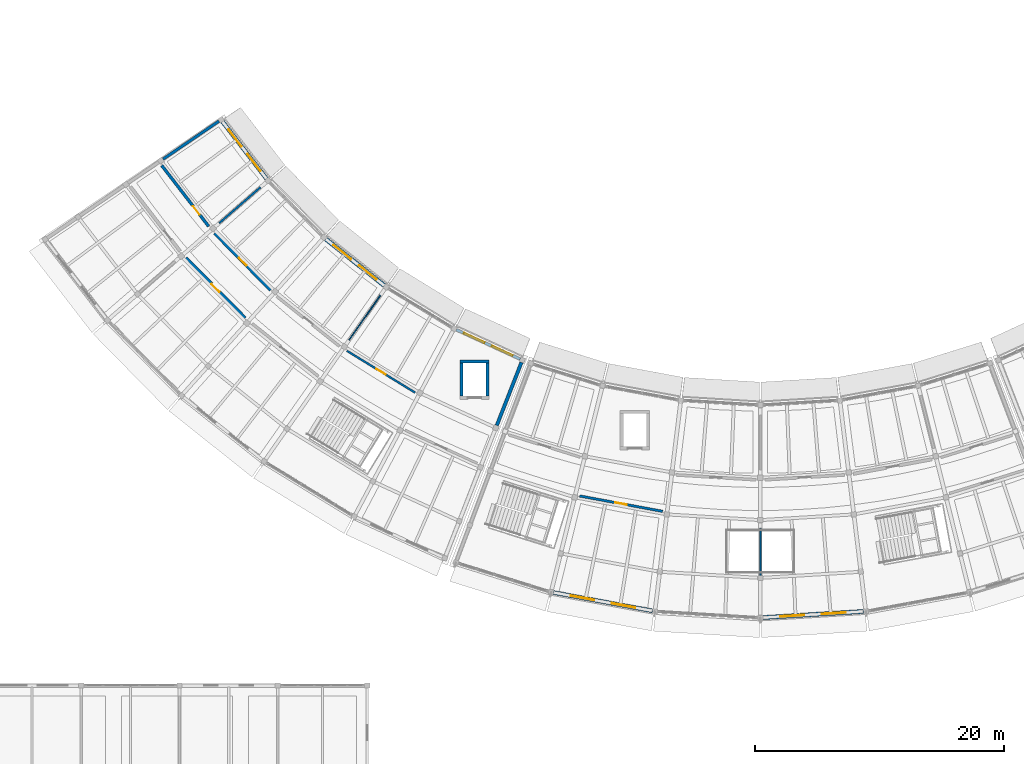
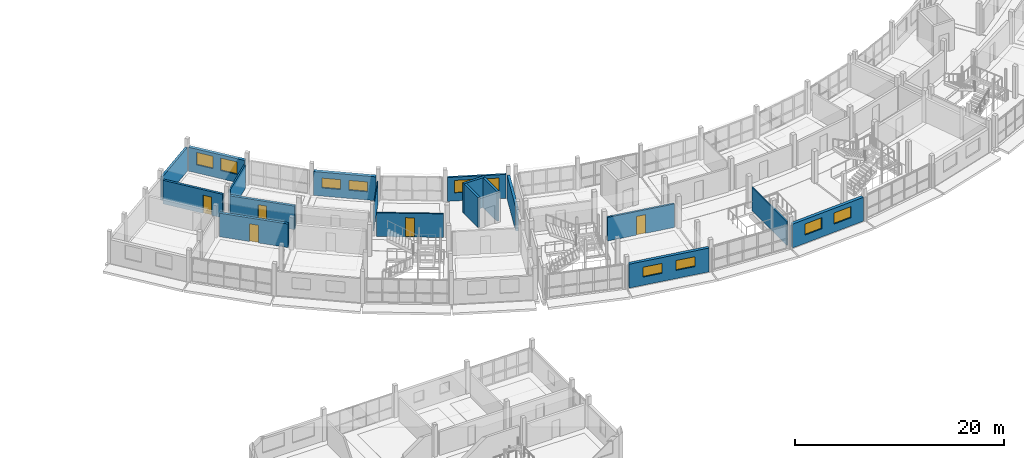
# One storey, part 57 of 77: 18 walls, 10 windows, 5 doors, 15 openings.
"""IFC4 building model written with IfcOpenShell, lengths in metres."""

from ifc_helpers import new_model, si_unit, direction, frame, frame_2d, origin, place, context, subcontext, project, spatial, rectangle, extrude, material, layer, layer_set, type_object, element, fill, save


model = new_model("IFC4")

# Units and contexts
model_context = context("Model", 3, precision=1e-05, world=origin(), true_north=direction((0.0, 1.0)))
body_context = subcontext(model_context, "Body", "Model", "MODEL_VIEW")
ifc_project = project(units=[si_unit("LENGTHUNIT", "METRE"), si_unit("AREAUNIT", "SQUARE_METRE"), si_unit("VOLUMEUNIT", "CUBIC_METRE"), si_unit("PLANEANGLEUNIT", "RADIAN"), si_unit("MASSUNIT", "GRAM", prefix="KILO")], contexts=[model_context])

# Site, building, storey
site_placement = place(None, origin())
site = spatial("IfcSite", under=ifc_project, at=site_placement, CompositionType="ELEMENT")
building_placement = place(site_placement, origin())
building = spatial("IfcBuilding", under=site, at=building_placement, Name="Caldaven Crescent School", CompositionType="ELEMENT")
storey_placement = place(building_placement, frame((0.0, 0.0, 4.419921875)))
storey = spatial("IfcBuildingStorey", under=building, at=storey_placement, Name="L01", CompositionType="ELEMENT", Elevation=4.419921875)

# Walls
ifc_material_1 = material(Name="Concrete C35/45", Category="concrete")
ifc_layer_1 = layer(ifc_material_1, 0.300048828125)
ifc_layer_set_1 = layer_set([ifc_layer_1], Name="Concrete C35/45")
wall_type_1 = type_object("IfcWallType", Name="WAL-CW1", PredefinedType="SHEAR", material=ifc_layer_set_1)
wall_1_placement = place(storey_placement, frame((63.85107421875, 47.0380859375, 0.0), z_axis=(0.0, 0.0, 1.0), x_axis=(1.0, 0.0, 0.0)))
element("IfcWall", 1, at=wall_1_placement, inside=storey, type_object=wall_type_1, Name="CW-LF4-L01-N", PredefinedType="SHEAR", context=body_context, shape_type="SweptSolid", body=[
    extrude(rectangle(XDim=2.349853515625, YDim=0.25, at=frame_2d((1.1748046875, 0.0))), origin(), (0.0, 0.0, 1.0), 3.489990234375),
])
ifc_layer_2 = layer(ifc_material_1, 0.25)
ifc_layer_set_2 = layer_set([ifc_layer_2], Name="Concrete C35/45")
wall_type_2 = type_object("IfcWallType", Name="WAL-CW2", PredefinedType="SHEAR", material=ifc_layer_set_2)
for number, where, z_axis, x_axis, name in (
    (2, (63.97607421875, 44.26318359375, 0.0), (0.0, 0.0, 1.0), (0.0, 1.0, 0.0), "CW-LF4-L01-W"),
    (3, (66.075927734375, 44.26318359375, 0.0), (0.0, 0.0, 1.0), (0.0, 1.0, 0.0), "CW-LF4-L01-E"),
):
    element("IfcWall", number, at=place(storey_placement, frame(where, z_axis=z_axis, x_axis=x_axis)), inside=storey, type_object=wall_type_2, Name=name, PredefinedType="SHEAR", context=body_context, shape_type="SweptSolid", body=[
        extrude(rectangle(XDim=2.64990234375, YDim=0.25, at=frame_2d((1.324951171875, 0.0))), origin(), (0.0, 0.0, 1.0), 3.489990234375),
    ])

# Wall, openings, windows
ifc_material_2 = material(Name="Precast concrete C35/45", Category="concrete")
ifc_layer_3 = layer(ifc_material_2, 0.2041015625)
ifc_layer_set_3 = layer_set([ifc_layer_3], Name="Precast concrete C35/45")
wall_type_3 = type_object("IfcWallType", Name="WAL-EW02", PredefinedType="STANDARD", material=ifc_layer_set_3)
wall_2_placement = place(storey_placement, frame((63.55615234375, 49.606689453125, 0.0), z_axis=(0.0, 0.0, 1.0), x_axis=(0.908529183404, -0.417821400723, 0.0)))
wall_2 = element("IfcWall", 4, at=wall_2_placement, inside=storey, type_object=wall_type_3, Name="EW-L01-127", PredefinedType="STANDARD", context=body_context, shape_type="SweptSolid", body=[
    extrude(rectangle(XDim=5.6474609375, YDim=0.2041015625, at=frame_2d((2.82373046875, 0.0))), origin(), (0.0, 0.0, 1.0), 2.780029296875),
])
opening_1_placement = place(wall_2_placement, frame((0.669189453125, 0.0, 0.949951171875)))
opening_1 = element("IfcOpeningElement", 5, at=opening_1_placement, cuts=wall_2, Name="Opening W27", PredefinedType="OPENING", context=body_context, shape_type="SweptSolid", body=[
    extrude(rectangle(XDim=1.820068359375, YDim=1.449951171875, at=frame_2d((0.91015625, 0.72509765625))), frame((0.0, 0.112060546875, 0.0), z_axis=(0.0, -1.0, 0.0), x_axis=(1.0, 0.0, 0.0)), (0.0, 0.0, 1.0), 0.22412109375),
])
opening_2_placement = place(wall_2_placement, frame((3.158203125, 0.0, 0.949951171875)))
opening_2 = element("IfcOpeningElement", 6, at=opening_2_placement, cuts=wall_2, Name="Opening W27", PredefinedType="OPENING", context=body_context, shape_type="SweptSolid", body=[
    extrude(rectangle(XDim=1.820068359375, YDim=1.449951171875, at=frame_2d((0.91015625, 0.72509765625))), frame((0.0, 0.112060546875, 0.0), z_axis=(0.0, -1.0, 0.0), x_axis=(1.0, 0.0, 0.0)), (0.0, 0.0, 1.0), 0.22412109375),
])
ifc_material_3 = material(Name="Thermally broken anodised aluminium AA 6063-T6 and low-E double glazing", Category="aluminium")
window_type_1 = type_object("IfcWindowType", Name="WIN-W27", PartitioningType="SINGLE_PANEL", PredefinedType="WINDOW", material=ifc_material_3)
window_1_placement = place(opening_1_placement, origin())
window_1 = element("IfcWindow", 7, at=window_1_placement, inside=storey, type_object=window_type_1, Name="WIN-L01-074-1", OverallHeight=1.449951171875, OverallWidth=1.820068359375, PartitioningType="SINGLE_PANEL", PredefinedType="WINDOW", context=body_context, shape_type="SweptSolid", body=[
    extrude(rectangle(XDim=1.820068359375, YDim=1.449951171875, at=frame_2d((0.91015625, 0.72509765625))), frame((0.0, 0.030029296875, 0.0), z_axis=(0.0, -1.0, 0.0), x_axis=(1.0, 0.0, 0.0)), (0.0, 0.0, 1.0), 0.06005859375),
])
fill(opening_1, window_1)
window_2_placement = place(opening_2_placement, origin())
window_2 = element("IfcWindow", 8, at=window_2_placement, inside=storey, type_object=window_type_1, Name="WIN-L01-074-2", OverallHeight=1.449951171875, OverallWidth=1.820068359375, PartitioningType="SINGLE_PANEL", PredefinedType="WINDOW", context=body_context, shape_type="SweptSolid", body=[
    extrude(rectangle(XDim=1.820068359375, YDim=1.449951171875, at=frame_2d((0.91015625, 0.72509765625))), frame((0.0, 0.030029296875, 0.0), z_axis=(0.0, -1.0, 0.0), x_axis=(1.0, 0.0, 0.0)), (0.0, 0.0, 1.0), 0.06005859375),
])
fill(opening_2, window_2)

# Walls
ifc_layer_4 = layer(ifc_material_2, 0.22802734375)
ifc_layer_set_4 = layer_set([ifc_layer_4], Name="Precast concrete C35/45")
wall_type_4 = type_object("IfcWallType", Name="WAL-EW04", PredefinedType="STANDARD", material=ifc_layer_set_4)
wall_3_placement = place(storey_placement, frame((44.473876953125, 66.380859375, 0.0), z_axis=(0.0, 0.0, 1.0), x_axis=(-0.826743616666, -0.562578876516, 0.0)))
element("IfcWall", 9, at=wall_3_placement, inside=storey, type_object=wall_type_4, Name="EW-L01-129", PredefinedType="STANDARD", context=body_context, shape_type="SweptSolid", body=[
    extrude(rectangle(XDim=5.43896484375, YDim=0.22802734375, at=frame_2d((2.719482421875, 0.0))), origin(), (0.0, 0.0, 1.0), 2.780029296875),
])
ifc_layer_5 = layer(ifc_material_2, 0.27587890625)
ifc_layer_set_5 = layer_set([ifc_layer_5], Name="Precast concrete C35/45")
wall_type_5 = type_object("IfcWallType", Name="WAL-EW08", PredefinedType="STANDARD", material=ifc_layer_set_5)
wall_4_placement = place(storey_placement, frame((68.794677734375, 46.97998046875, 0.0), z_axis=(0.0, 0.0, 1.0), x_axis=(-0.364795350011, -0.931087725518, 0.0)))
element("IfcWall", 10, at=wall_4_placement, inside=storey, type_object=wall_type_5, Name="EW-L01-133", PredefinedType="STANDARD", context=body_context, shape_type="SweptSolid", body=[
    extrude(rectangle(XDim=5.43896484375, YDim=0.27587890625, at=frame_2d((2.719482421875, 0.0))), origin(), (0.0, 0.0, 1.0), 2.780029296875),
])

# Wall, openings, windows
ifc_layer_6 = layer(ifc_material_2, 0.323974609375)
ifc_layer_set_6 = layer_set([ifc_layer_6], Name="Precast concrete C35/45")
wall_type_6 = type_object("IfcWallType", Name="WAL-EW12", PredefinedType="STANDARD", material=ifc_layer_set_6)
wall_5_placement = place(storey_placement, frame((44.75830078125, 66.33544921875, 0.0), z_axis=(0.0, 0.0, 1.0), x_axis=(0.610413133261, -0.792083206957, 0.0)))
wall_5 = element("IfcWall", 11, at=wall_5_placement, inside=storey, type_object=wall_type_6, Name="EW-L01-123", PredefinedType="STANDARD", context=body_context, shape_type="SweptSolid", body=[
    extrude(rectangle(XDim=5.79345703125, YDim=0.323974609375, at=frame_2d((2.896728515625, 0.0))), origin(), (0.0, 0.0, 1.0), 2.780029296875),
])
opening_3_placement = place(wall_5_placement, frame((0.7978515625, 0.0, 0.949951171875)))
opening_3 = element("IfcOpeningElement", 12, at=opening_3_placement, cuts=wall_5, Name="Opening W23", PredefinedType="OPENING", context=body_context, shape_type="SweptSolid", body=[
    extrude(rectangle(XDim=1.699951171875, YDim=1.449951171875, at=frame_2d((0.85009765625, 0.72509765625))), frame((0.0, 0.171875, 0.0), z_axis=(0.0, -1.0, 0.0), x_axis=(1.0, 0.0, 0.0)), (0.0, 0.0, 1.0), 0.343994140625),
])
opening_4_placement = place(wall_5_placement, frame((3.295654296875, 0.0, 0.949951171875)))
opening_4 = element("IfcOpeningElement", 13, at=opening_4_placement, cuts=wall_5, Name="Opening W23", PredefinedType="OPENING", context=body_context, shape_type="SweptSolid", body=[
    extrude(rectangle(XDim=1.699951171875, YDim=1.449951171875, at=frame_2d((0.85009765625, 0.72509765625))), frame((0.0, 0.171875, 0.0), z_axis=(0.0, -1.0, 0.0), x_axis=(1.0, 0.0, 0.0)), (0.0, 0.0, 1.0), 0.343994140625),
])
window_type_2 = type_object("IfcWindowType", Name="WIN-W23", PartitioningType="SINGLE_PANEL", PredefinedType="WINDOW", material=ifc_material_3)
window_3_placement = place(opening_3_placement, origin())
window_3 = element("IfcWindow", 14, at=window_3_placement, inside=storey, type_object=window_type_2, Name="WIN-L01-070-1", OverallHeight=1.449951171875, OverallWidth=1.699951171875, PartitioningType="SINGLE_PANEL", PredefinedType="WINDOW", context=body_context, shape_type="SweptSolid", body=[
    extrude(rectangle(XDim=1.699951171875, YDim=1.449951171875, at=frame_2d((0.85009765625, 0.72509765625))), frame((0.0, 0.030029296875, 0.0), z_axis=(0.0, -1.0, 0.0), x_axis=(1.0, 0.0, 0.0)), (0.0, 0.0, 1.0), 0.06005859375),
])
fill(opening_3, window_3)
window_4_placement = place(opening_4_placement, origin())
window_4 = element("IfcWindow", 15, at=window_4_placement, inside=storey, type_object=window_type_2, Name="WIN-L01-070-2", OverallHeight=1.449951171875, OverallWidth=1.699951171875, PartitioningType="SINGLE_PANEL", PredefinedType="WINDOW", context=body_context, shape_type="SweptSolid", body=[
    extrude(rectangle(XDim=1.699951171875, YDim=1.449951171875, at=frame_2d((0.85009765625, 0.72509765625))), frame((0.0, 0.030029296875, 0.0), z_axis=(0.0, -1.0, 0.0), x_axis=(1.0, 0.0, 0.0)), (0.0, 0.0, 1.0), 0.06005859375),
])
fill(opening_4, window_4)

wall_6_placement = place(storey_placement, frame((71.369140625, 28.479736328125, 0.0), z_axis=(0.0, 0.0, 1.0), x_axis=(0.983254797115, -0.182236121422, 0.0)))
wall_6 = element("IfcWall", 16, at=wall_6_placement, inside=storey, type_object=wall_type_6, Name="EW-L01-137", PredefinedType="STANDARD", context=body_context, shape_type="SweptSolid", body=[
    extrude(rectangle(XDim=8.095703125, YDim=0.323974609375, at=frame_2d((4.0478515625, 0.0))), origin(), (0.0, 0.0, 1.0), 2.780029296875),
])
opening_5_placement = place(wall_6_placement, frame((1.4052734375, 0.0, 0.949951171875)))
opening_5 = element("IfcOpeningElement", 17, at=opening_5_placement, cuts=wall_6, Name="Opening W29", PredefinedType="OPENING", context=body_context, shape_type="SweptSolid", body=[
    extrude(rectangle(XDim=1.93994140625, YDim=1.14990234375, at=frame_2d((0.969970703125, 0.574951171875))), frame((0.0, 0.171875, 0.0), z_axis=(0.0, -1.0, 0.0), x_axis=(1.0, 0.0, 0.0)), (0.0, 0.0, 1.0), 0.343994140625),
])
opening_6_placement = place(wall_6_placement, frame((4.75048828125, 0.0, 0.949951171875)))
opening_6 = element("IfcOpeningElement", 18, at=opening_6_placement, cuts=wall_6, Name="Opening W29", PredefinedType="OPENING", context=body_context, shape_type="SweptSolid", body=[
    extrude(rectangle(XDim=1.93994140625, YDim=1.14990234375, at=frame_2d((0.969970703125, 0.574951171875))), frame((0.0, 0.171875, 0.0), z_axis=(0.0, -1.0, 0.0), x_axis=(1.0, 0.0, 0.0)), (0.0, 0.0, 1.0), 0.343994140625),
])
window_type_3 = type_object("IfcWindowType", Name="WIN-W29", PartitioningType="SINGLE_PANEL", PredefinedType="WINDOW", material=ifc_material_3)
window_5_placement = place(opening_5_placement, origin())
window_5 = element("IfcWindow", 19, at=window_5_placement, inside=storey, type_object=window_type_3, Name="WIN-L01-076-1", OverallHeight=1.14990234375, OverallWidth=1.93994140625, PartitioningType="SINGLE_PANEL", PredefinedType="WINDOW", context=body_context, shape_type="SweptSolid", body=[
    extrude(rectangle(XDim=1.93994140625, YDim=1.14990234375, at=frame_2d((0.969970703125, 0.574951171875))), frame((0.0, 0.030029296875, 0.0), z_axis=(0.0, -1.0, 0.0), x_axis=(1.0, 0.0, 0.0)), (0.0, 0.0, 1.0), 0.06005859375),
])
fill(opening_5, window_5)
window_6_placement = place(opening_6_placement, origin())
window_6 = element("IfcWindow", 20, at=window_6_placement, inside=storey, type_object=window_type_3, Name="WIN-L01-076-2", OverallHeight=1.14990234375, OverallWidth=1.93994140625, PartitioningType="SINGLE_PANEL", PredefinedType="WINDOW", context=body_context, shape_type="SweptSolid", body=[
    extrude(rectangle(XDim=1.93994140625, YDim=1.14990234375, at=frame_2d((0.969970703125, 0.574951171875))), frame((0.0, 0.030029296875, 0.0), z_axis=(0.0, -1.0, 0.0), x_axis=(1.0, 0.0, 0.0)), (0.0, 0.0, 1.0), 0.06005859375),
])
fill(opening_6, window_6)

ifc_layer_7 = layer(ifc_material_2, 0.3359375)
ifc_layer_set_7 = layer_set([ifc_layer_7], Name="Precast concrete C35/45")
wall_type_7 = type_object("IfcWallType", Name="WAL-EW13", PredefinedType="STANDARD", material=ifc_layer_set_7)
wall_7_placement = place(storey_placement, frame((88.197509765625, 26.462158203125, 0.0), z_axis=(0.0, 0.0, 1.0), x_axis=(0.998135572987, 0.061035874187, 0.0)))
wall_7 = element("IfcWall", 21, at=wall_7_placement, inside=storey, type_object=wall_type_7, Name="EW-L01-138", PredefinedType="STANDARD", context=body_context, shape_type="SweptSolid", body=[
    extrude(rectangle(XDim=8.095947265625, YDim=0.3359375, at=frame_2d((4.0478515625, 0.0))), origin(), (0.0, 0.0, 1.0), 2.780029296875),
])
opening_7_placement = place(wall_7_placement, frame((1.4052734375, 0.0, 0.949951171875)))
opening_7 = element("IfcOpeningElement", 22, at=opening_7_placement, cuts=wall_7, Name="Opening W30", PredefinedType="OPENING", context=body_context, shape_type="SweptSolid", body=[
    extrude(rectangle(XDim=1.93994140625, YDim=1.300048828125, at=frame_2d((0.969970703125, 0.64990234375))), frame((0.0, 0.177978515625, 0.0), z_axis=(0.0, -1.0, 0.0), x_axis=(1.0, 0.0, 0.0)), (0.0, 0.0, 1.0), 0.35595703125),
])
opening_8_placement = place(wall_7_placement, frame((4.75048828125, 0.0, 0.949951171875)))
opening_8 = element("IfcOpeningElement", 23, at=opening_8_placement, cuts=wall_7, Name="Opening W30", PredefinedType="OPENING", context=body_context, shape_type="SweptSolid", body=[
    extrude(rectangle(XDim=1.93994140625, YDim=1.300048828125, at=frame_2d((0.969970703125, 0.64990234375))), frame((0.0, 0.177978515625, 0.0), z_axis=(0.0, -1.0, 0.0), x_axis=(1.0, 0.0, 0.0)), (0.0, 0.0, 1.0), 0.35595703125),
])
window_type_4 = type_object("IfcWindowType", Name="WIN-W30", PartitioningType="SINGLE_PANEL", PredefinedType="WINDOW", material=ifc_material_3)
window_7_placement = place(opening_7_placement, origin())
window_7 = element("IfcWindow", 24, at=window_7_placement, inside=storey, type_object=window_type_4, Name="WIN-L01-077-1", OverallHeight=1.300048828125, OverallWidth=1.93994140625, PartitioningType="SINGLE_PANEL", PredefinedType="WINDOW", context=body_context, shape_type="SweptSolid", body=[
    extrude(rectangle(XDim=1.93994140625, YDim=1.300048828125, at=frame_2d((0.969970703125, 0.64990234375))), frame((0.0, 0.030029296875, 0.0), z_axis=(0.0, -1.0, 0.0), x_axis=(1.0, 0.0, 0.0)), (0.0, 0.0, 1.0), 0.06005859375),
])
fill(opening_7, window_7)
window_8_placement = place(opening_8_placement, origin())
window_8 = element("IfcWindow", 25, at=window_8_placement, inside=storey, type_object=window_type_4, Name="WIN-L01-077-2", OverallHeight=1.300048828125, OverallWidth=1.93994140625, PartitioningType="SINGLE_PANEL", PredefinedType="WINDOW", context=body_context, shape_type="SweptSolid", body=[
    extrude(rectangle(XDim=1.93994140625, YDim=1.300048828125, at=frame_2d((0.969970703125, 0.64990234375))), frame((0.0, 0.030029296875, 0.0), z_axis=(0.0, -1.0, 0.0), x_axis=(1.0, 0.0, 0.0)), (0.0, 0.0, 1.0), 0.06005859375),
])
fill(opening_8, window_8)

ifc_layer_8 = layer(ifc_material_2, 0.347900390625)
ifc_layer_set_8 = layer_set([ifc_layer_8], Name="Precast concrete C35/45")
wall_type_8 = type_object("IfcWallType", Name="WAL-EW14", PredefinedType="STANDARD", material=ifc_layer_set_8)
wall_8_placement = place(storey_placement, frame((53.05908203125, 56.898681640625, 0.0), z_axis=(0.0, 0.0, 1.0), x_axis=(0.78261410235, -0.622507162049, 0.0)))
wall_8 = element("IfcWall", 26, at=wall_8_placement, inside=storey, type_object=wall_type_8, Name="EW-L01-125", PredefinedType="STANDARD", context=body_context, shape_type="SweptSolid", body=[
    extrude(rectangle(XDim=6.008056640625, YDim=0.347900390625, at=frame_2d((3.00390625, 0.0))), origin(), (0.0, 0.0, 1.0), 2.780029296875),
])
opening_9_placement = place(wall_8_placement, frame((0.789306640625, 0.0, 0.949951171875)))
opening_9 = element("IfcOpeningElement", 27, at=opening_9_placement, cuts=wall_8, Name="Opening W25", PredefinedType="OPENING", context=body_context, shape_type="SweptSolid", body=[
    extrude(rectangle(XDim=1.820068359375, YDim=1.14990234375, at=frame_2d((0.91015625, 0.574951171875))), frame((0.0, 0.183837890625, 0.0), z_axis=(0.0, -1.0, 0.0), x_axis=(1.0, 0.0, 0.0)), (0.0, 0.0, 1.0), 0.367919921875),
])
opening_10_placement = place(wall_8_placement, frame((3.398681640625, 0.0, 0.949951171875)))
opening_10 = element("IfcOpeningElement", 28, at=opening_10_placement, cuts=wall_8, Name="Opening W25", PredefinedType="OPENING", context=body_context, shape_type="SweptSolid", body=[
    extrude(rectangle(XDim=1.820068359375, YDim=1.14990234375, at=frame_2d((0.91015625, 0.574951171875))), frame((0.0, 0.183837890625, 0.0), z_axis=(0.0, -1.0, 0.0), x_axis=(1.0, 0.0, 0.0)), (0.0, 0.0, 1.0), 0.367919921875),
])
window_type_5 = type_object("IfcWindowType", Name="WIN-W25", PartitioningType="SINGLE_PANEL", PredefinedType="WINDOW", material=ifc_material_3)
window_9_placement = place(opening_9_placement, origin())
window_9 = element("IfcWindow", 29, at=window_9_placement, inside=storey, type_object=window_type_5, Name="WIN-L01-072-1", OverallHeight=1.14990234375, OverallWidth=1.820068359375, PartitioningType="SINGLE_PANEL", PredefinedType="WINDOW", context=body_context, shape_type="SweptSolid", body=[
    extrude(rectangle(XDim=1.820068359375, YDim=1.14990234375, at=frame_2d((0.91015625, 0.574951171875))), frame((0.0, 0.030029296875, 0.0), z_axis=(0.0, -1.0, 0.0), x_axis=(1.0, 0.0, 0.0)), (0.0, 0.0, 1.0), 0.06005859375),
])
fill(opening_9, window_9)
window_10_placement = place(opening_10_placement, origin())
window_10 = element("IfcWindow", 30, at=window_10_placement, inside=storey, type_object=window_type_5, Name="WIN-L01-072-2", OverallHeight=1.14990234375, OverallWidth=1.820068359375, PartitioningType="SINGLE_PANEL", PredefinedType="WINDOW", context=body_context, shape_type="SweptSolid", body=[
    extrude(rectangle(XDim=1.820068359375, YDim=1.14990234375, at=frame_2d((0.91015625, 0.574951171875))), frame((0.0, 0.030029296875, 0.0), z_axis=(0.0, -1.0, 0.0), x_axis=(1.0, 0.0, 0.0)), (0.0, 0.0, 1.0), 0.06005859375),
])
fill(opening_10, window_10)

# Wall, opening, door
ifc_material_4 = material(Name="Acoustic timber-stud and fire-rated gypsum board assembly", Category="wood")
ifc_layer_9 = layer(ifc_material_4, 0.159912109375)
ifc_layer_set_9 = layer_set([ifc_layer_9], Name="Acoustic timber-stud and fire-rated gypsum board assembly")
wall_type_9 = type_object("IfcWallType", Name="WAL-IW01", PredefinedType="STANDARD", material=ifc_layer_set_9)
wall_9_placement = place(storey_placement, frame((54.76416015625, 47.907958984375, 0.0), z_axis=(0.0, 0.0, 1.0), x_axis=(0.852626937867, -0.522520147767, 0.0)))
wall_9 = element("IfcWall", 31, at=wall_9_placement, inside=storey, type_object=wall_type_9, Name="IW-L01-0208", PredefinedType="STANDARD", context=body_context, shape_type="SweptSolid", body=[
    extrude(rectangle(XDim=6.42041015625, YDim=0.159912109375, at=frame_2d((3.210205078125, 0.0))), origin(), (0.0, 0.0, 1.0), 2.75),
])
opening_11_placement = place(wall_9_placement, frame((2.760009765625, 0.0, 0.0)))
opening_11 = element("IfcOpeningElement", 32, at=opening_11_placement, cuts=wall_9, Name="Opening D-L01-I147", PredefinedType="OPENING", context=body_context, shape_type="SweptSolid", body=[
    extrude(rectangle(XDim=0.89990234375, YDim=2.239990234375, at=frame_2d((0.449951171875, 1.1201171875))), frame((0.0, 0.08984375, 0.0), z_axis=(0.0, -1.0, 0.0), x_axis=(1.0, 0.0, 0.0)), (0.0, 0.0, 1.0), 0.179931640625),
])
ifc_material_5 = material(Name="Solid-core Pino Radiata acoustic timber leaf in steel frame", Category="steel")
door_type_1 = type_object("IfcDoorType", Name="DOR-ID08", OperationType="NOTDEFINED", PredefinedType="DOOR", material=ifc_material_5)
door_1_placement = place(opening_11_placement, frame((0.89990234375, 0.0, 0.0), z_axis=(0.0, 0.0, 1.0), x_axis=(-1.0, 0.0, 0.0)))
door_1 = element("IfcDoor", 33, at=door_1_placement, inside=storey, type_object=door_type_1, Name="DOR-INT-L01-0147", OperationType="SINGLE_SWING_RIGHT", OverallHeight=2.239990234375, OverallWidth=0.89990234375, PredefinedType="DOOR", context=body_context, shape_type="SweptSolid", body=[
    extrude(rectangle(XDim=0.89990234375, YDim=2.239990234375, at=frame_2d((0.449951171875, 1.1201171875))), frame((0.0, 0.02490234375, 0.0), z_axis=(0.0, -1.0, 0.0), x_axis=(1.0, 0.0, 0.0)), (0.0, 0.0, 1.0), 0.050048828125),
])
fill(opening_11, door_1)

ifc_layer_10 = layer(ifc_material_4, 0.199951171875)
ifc_layer_set_10 = layer_set([ifc_layer_10], Name="Acoustic timber-stud and fire-rated gypsum board assembly")
wall_type_10 = type_object("IfcWallType", Name="WAL-IW05", PredefinedType="STANDARD", material=ifc_layer_set_10)
wall_10_placement = place(storey_placement, frame((73.470947265625, 36.24169921875, 0.0), z_axis=(0.0, 0.0, 1.0), x_axis=(0.983257442509, -0.182221847619, 0.0)))
wall_10 = element("IfcWall", 34, at=wall_10_placement, inside=storey, type_object=wall_type_10, Name="IW-L01-0212", PredefinedType="STANDARD", context=body_context, shape_type="SweptSolid", body=[
    extrude(rectangle(XDim=6.79150390625, YDim=0.199951171875, at=frame_2d((3.395751953125, 0.0))), origin(), (0.0, 0.0, 1.0), 2.75),
])
opening_12_placement = place(wall_10_placement, frame((2.92578125, 0.0, 0.0)))
opening_12 = element("IfcOpeningElement", 35, at=opening_12_placement, cuts=wall_10, Name="Opening D-L01-I150", PredefinedType="OPENING", context=body_context, shape_type="SweptSolid", body=[
    extrude(rectangle(XDim=0.93994140625, YDim=2.179931640625, at=frame_2d((0.469970703125, 1.08984375))), frame((0.0, 0.10986328125, 0.0), z_axis=(0.0, -1.0, 0.0), x_axis=(1.0, 0.0, 0.0)), (0.0, 0.0, 1.0), 0.219970703125),
])
door_type_2 = type_object("IfcDoorType", Name="DOR-ID11", OperationType="NOTDEFINED", PredefinedType="DOOR", material=ifc_material_5)
door_2_placement = place(opening_12_placement, origin())
door_2 = element("IfcDoor", 36, at=door_2_placement, inside=storey, type_object=door_type_2, Name="DOR-INT-L01-0150", OperationType="SINGLE_SWING_LEFT", OverallHeight=2.179931640625, OverallWidth=0.93994140625, PredefinedType="DOOR", context=body_context, shape_type="SweptSolid", body=[
    extrude(rectangle(XDim=0.93994140625, YDim=2.179931640625, at=frame_2d((0.469970703125, 1.08984375))), frame((0.0, 0.02490234375, 0.0), z_axis=(0.0, -1.0, 0.0), x_axis=(1.0, 0.0, 0.0)), (0.0, 0.0, 1.0), 0.050048828125),
])
fill(opening_12, door_2)

ifc_layer_11 = layer(ifc_material_4, 0.239990234375)
ifc_layer_set_11 = layer_set([ifc_layer_11], Name="Acoustic timber-stud and fire-rated gypsum board assembly")
wall_type_11 = type_object("IfcWallType", Name="WAL-IW09", PredefinedType="STANDARD", material=ifc_layer_set_11)
wall_11_placement = place(storey_placement, frame((39.8720703125, 62.81494140625, 0.0), z_axis=(0.0, 0.0, 1.0), x_axis=(0.610376740954, -0.79211125109, 0.0)))
wall_11 = element("IfcWall", 37, at=wall_11_placement, inside=storey, type_object=wall_type_11, Name="IW-L01-0200", PredefinedType="STANDARD", context=body_context, shape_type="SweptSolid", body=[
    extrude(rectangle(XDim=6.180908203125, YDim=0.239990234375, at=frame_2d((3.09033203125, 0.0))), origin(), (0.0, 0.0, 1.0), 2.75),
])
opening_13_placement = place(wall_11_placement, frame((4.14111328125, 0.0, 0.0)))
opening_13 = element("IfcOpeningElement", 38, at=opening_13_placement, cuts=wall_11, Name="Opening D-L01-I141", PredefinedType="OPENING", context=body_context, shape_type="SweptSolid", body=[
    extrude(rectangle(XDim=0.860107421875, YDim=2.1201171875, at=frame_2d((0.43017578125, 1.06005859375))), frame((0.0, 0.1298828125, 0.0), z_axis=(0.0, -1.0, 0.0), x_axis=(1.0, 0.0, 0.0)), (0.0, 0.0, 1.0), 0.260009765625),
])
door_type_3 = type_object("IfcDoorType", Name="DOR-ID02", OperationType="NOTDEFINED", PredefinedType="DOOR", material=ifc_material_5)
door_3_placement = place(opening_13_placement, frame((0.860107421875, 0.0, 0.0), z_axis=(0.0, 0.0, 1.0), x_axis=(-1.0, 0.0, 0.0)))
door_3 = element("IfcDoor", 39, at=door_3_placement, inside=storey, type_object=door_type_3, Name="DOR-INT-L01-0141", OperationType="SINGLE_SWING_RIGHT", OverallHeight=2.1201171875, OverallWidth=0.860107421875, PredefinedType="DOOR", context=body_context, shape_type="SweptSolid", body=[
    extrude(rectangle(XDim=0.860107421875, YDim=2.1201171875, at=frame_2d((0.43017578125, 1.06005859375))), frame((0.0, 0.02490234375, 0.0), z_axis=(0.0, -1.0, 0.0), x_axis=(1.0, 0.0, 0.0)), (0.0, 0.0, 1.0), 0.050048828125),
])
fill(opening_13, door_3)

ifc_layer_12 = layer(ifc_material_4, 0.260009765625)
ifc_layer_set_12 = layer_set([ifc_layer_12], Name="Acoustic timber-stud and fire-rated gypsum board assembly")
wall_type_12 = type_object("IfcWallType", Name="WAL-IW11", PredefinedType="STANDARD", material=ifc_layer_set_12)
wall_12_placement = place(storey_placement, frame((44.116943359375, 57.376953125, 0.0), z_axis=(0.0, 0.0, 1.0), x_axis=(0.700900509406, -0.713259052459, 0.0)))
wall_12 = element("IfcWall", 40, at=wall_12_placement, inside=storey, type_object=wall_type_12, Name="IW-L01-0202", PredefinedType="STANDARD", context=body_context, shape_type="SweptSolid", body=[
    extrude(rectangle(XDim=6.42041015625, YDim=0.260009765625, at=frame_2d((3.210205078125, 0.0))), origin(), (0.0, 0.0, 1.0), 2.75),
])
opening_14_placement = place(wall_12_placement, frame((2.780029296875, 0.0, 0.0)))
opening_14 = element("IfcOpeningElement", 41, at=opening_14_placement, cuts=wall_12, Name="Opening D-L01-I143", PredefinedType="OPENING", context=body_context, shape_type="SweptSolid", body=[
    extrude(rectangle(XDim=0.860107421875, YDim=2.239990234375, at=frame_2d((0.43017578125, 1.1201171875))), frame((0.0, 0.139892578125, 0.0), z_axis=(0.0, -1.0, 0.0), x_axis=(1.0, 0.0, 0.0)), (0.0, 0.0, 1.0), 0.280029296875),
])
door_type_4 = type_object("IfcDoorType", Name="DOR-ID04", OperationType="NOTDEFINED", PredefinedType="DOOR", material=ifc_material_5)
door_4_placement = place(opening_14_placement, frame((0.860107421875, 0.0, 0.0), z_axis=(0.0, 0.0, 1.0), x_axis=(-1.0, 0.0, 0.0)))
door_4 = element("IfcDoor", 42, at=door_4_placement, inside=storey, type_object=door_type_4, Name="DOR-INT-L01-0143", OperationType="SINGLE_SWING_RIGHT", OverallHeight=2.239990234375, OverallWidth=0.860107421875, PredefinedType="DOOR", context=body_context, shape_type="SweptSolid", body=[
    extrude(rectangle(XDim=0.860107421875, YDim=2.239990234375, at=frame_2d((0.43017578125, 1.1201171875))), frame((0.0, 0.02490234375, 0.0), z_axis=(0.0, -1.0, 0.0), x_axis=(1.0, 0.0, 0.0)), (0.0, 0.0, 1.0), 0.050048828125),
])
fill(opening_14, door_4)

ifc_material_6 = material(Name="Autoclaved aerated concrete block masonry G5", Category="masonry")
ifc_layer_13 = layer(ifc_material_6, 0.27001953125)
ifc_layer_set_13 = layer_set([ifc_layer_13], Name="Autoclaved aerated concrete block masonry G5")
wall_type_13 = type_object("IfcWallType", Name="WAL-IW12", PredefinedType="STANDARD", material=ifc_layer_set_13)
wall_13_placement = place(storey_placement, frame((41.822509765625, 55.382568359375, 0.0), z_axis=(0.0, 0.0, 1.0), x_axis=(0.700914816473, -0.713244993006, 0.0)))
wall_13 = element("IfcWall", 43, at=wall_13_placement, inside=storey, type_object=wall_type_13, Name="IW-L01-0203", PredefinedType="STANDARD", context=body_context, shape_type="SweptSolid", body=[
    extrude(rectangle(XDim=6.79150390625, YDim=0.27001953125, at=frame_2d((3.395751953125, 0.0))), origin(), (0.0, 0.0, 1.0), 2.75),
])
opening_15_placement = place(wall_13_placement, frame((2.94580078125, 0.0, 0.0)))
opening_15 = element("IfcOpeningElement", 44, at=opening_15_placement, cuts=wall_13, Name="Opening D-L01-I144", PredefinedType="OPENING", context=body_context, shape_type="SweptSolid", body=[
    extrude(rectangle(XDim=0.89990234375, YDim=2.06005859375, at=frame_2d((0.449951171875, 1.030029296875))), frame((0.0, 0.14501953125, 0.0), z_axis=(0.0, -1.0, 0.0), x_axis=(1.0, 0.0, 0.0)), (0.0, 0.0, 1.0), 0.2900390625),
])
door_type_5 = type_object("IfcDoorType", Name="DOR-ID05", OperationType="NOTDEFINED", PredefinedType="DOOR", material=ifc_material_5)
door_5_placement = place(opening_15_placement, origin())
door_5 = element("IfcDoor", 45, at=door_5_placement, inside=storey, type_object=door_type_5, Name="DOR-INT-L01-0144", OperationType="SINGLE_SWING_LEFT", OverallHeight=2.06005859375, OverallWidth=0.89990234375, PredefinedType="DOOR", context=body_context, shape_type="SweptSolid", body=[
    extrude(rectangle(XDim=0.89990234375, YDim=2.06005859375, at=frame_2d((0.449951171875, 1.030029296875))), frame((0.0, 0.02490234375, 0.0), z_axis=(0.0, -1.0, 0.0), x_axis=(1.0, 0.0, 0.0)), (0.0, 0.0, 1.0), 0.050048828125),
])
fill(opening_15, door_5)

# Walls
ifc_material_7 = material(Name="Acoustic double-layer gypsum partition on galvanised steel studs", Category="steel")
ifc_layer_14 = layer(ifc_material_7, 0.092041015625)
ifc_layer_set_14 = layer_set([ifc_layer_14], Name="Acoustic double-layer gypsum partition on galvanised steel studs")
wall_type_14 = type_object("IfcWallType", Name="WAL-PT02", PredefinedType="PARTITIONING", material=ifc_layer_set_14)
wall_14_placement = place(storey_placement, frame((57.45703125, 52.380126953125, 0.0), z_axis=(0.0, 0.0, 1.0), x_axis=(-0.573570334442, -0.819156316858, 0.0)))
element("IfcWall", 46, at=wall_14_placement, inside=storey, type_object=wall_type_14, Name="IW-L01-0209", PredefinedType="PARTITIONING", context=body_context, shape_type="SweptSolid", body=[
    extrude(rectangle(XDim=4.39990234375, YDim=0.092041015625, at=frame_2d((2.199951171875, 0.0))), origin(), (0.0, 0.0, 1.0), 2.75),
])
ifc_layer_15 = layer(ifc_material_7, 0.134033203125)
ifc_layer_set_15 = layer_set([ifc_layer_15], Name="Acoustic double-layer gypsum partition on galvanised steel studs")
wall_type_15 = type_object("IfcWallType", Name="WAL-PT09", PredefinedType="PARTITIONING", material=ifc_layer_set_15)
wall_15_placement = place(storey_placement, frame((88.0, 33.64990234375, 0.0), z_axis=(0.0, 0.0, 1.0), x_axis=(0.0, -1.0, 0.0)))
element("IfcWall", 47, at=wall_15_placement, inside=storey, type_object=wall_type_15, Name="IW-L01-0216", PredefinedType="PARTITIONING", context=body_context, shape_type="SweptSolid", body=[
    extrude(rectangle(XDim=6.699951171875, YDim=0.134033203125, at=frame_2d((3.35009765625, 0.0))), origin(), (0.0, 0.0, 1.0), 2.75),
])
ifc_layer_16 = layer(ifc_material_7, 0.157958984375)
ifc_layer_set_16 = layer_set([ifc_layer_16], Name="Acoustic double-layer gypsum partition on galvanised steel studs")
wall_type_16 = type_object("IfcWallType", Name="WAL-PT13", PredefinedType="PARTITIONING", material=ifc_layer_set_16)
wall_16_placement = place(storey_placement, frame((47.811767578125, 61.06494140625, 0.0), z_axis=(0.0, 0.0, 1.0), x_axis=(-0.75471062989, -0.656057821484, 0.0)))
element("IfcWall", 48, at=wall_16_placement, inside=storey, type_object=wall_type_16, Name="IW-L01-0204", PredefinedType="PARTITIONING", context=body_context, shape_type="SweptSolid", body=[
    extrude(rectangle(XDim=4.400146484375, YDim=0.157958984375, at=frame_2d((2.2001953125, 0.0))), origin(), (0.0, 0.0, 1.0), 2.75),
])

save(model, "model.ifc")
